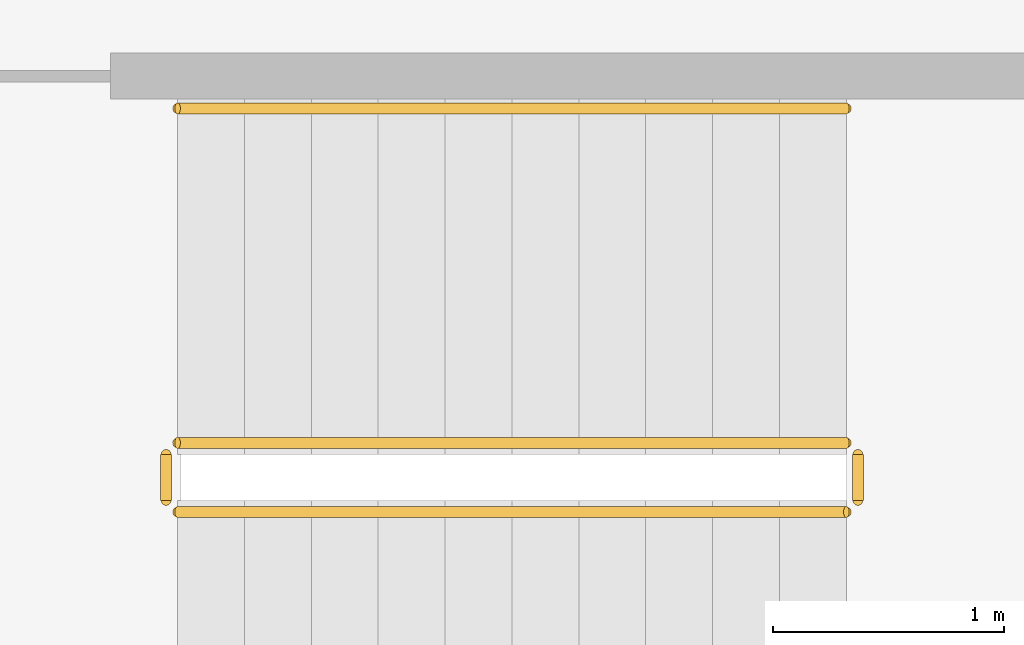
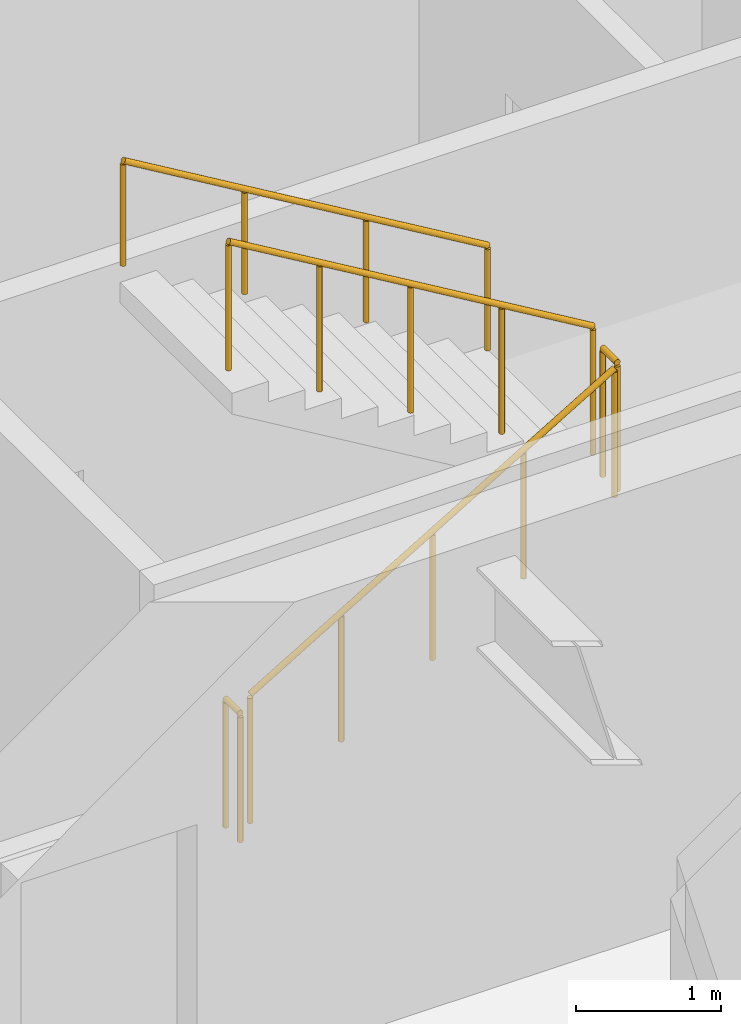
# One storey, part 22 of 23: 5 railings.
"""IFC4 building model written with IfcOpenShell, lengths in metres."""

from ifc_helpers import new_model, si_unit, direction, frame, origin, origin_2d, place, context, subcontext, project, spatial, circle, extrude, material, type_object, element, save


model = new_model("IFC4")

# Units and contexts
model_context = context("Model", 3, precision=1e-05, world=origin(), true_north=direction((0.0, 1.0)))
body_context = subcontext(model_context, "Body", "Model", "MODEL_VIEW")
ifc_project = project(units=[si_unit("LENGTHUNIT", "METRE"), si_unit("AREAUNIT", "SQUARE_METRE"), si_unit("VOLUMEUNIT", "CUBIC_METRE"), si_unit("PLANEANGLEUNIT", "RADIAN"), si_unit("MASSUNIT", "GRAM", prefix="KILO")], contexts=[model_context])

# Site, building, storey
site_placement = place(None, origin())
site = spatial("IfcSite", under=ifc_project, at=site_placement, CompositionType="ELEMENT")
building_placement = place(site_placement, origin())
building = spatial("IfcBuilding", under=site, at=building_placement, Name="Putna Gate Headquarters", CompositionType="ELEMENT")
storey_placement = place(building_placement, frame((0.0, 0.0, 225.199951171875)))
storey = spatial("IfcBuildingStorey", under=building, at=storey_placement, Name="L56", CompositionType="ELEMENT", Elevation=225.199951171875)

# Railings
ifc_material_1 = material(Name="Powder-coated steel stair guardrail", Category="steel")
railing_type_1 = type_object("IfcRailingType", Name="RAIL-STAIR-GUARD-1100", PredefinedType="GUARDRAIL", material=ifc_material_1)
railing_1_placement = place(storey_placement, frame((57.89990234375, 21.10009765625, 0.1728515625)))
element("IfcRailing", 1, at=railing_1_placement, inside=storey, type_object=railing_type_1, Name="L56 ST2 stair guard 1", PredefinedType="GUARDRAIL", context=body_context, shape_type="SweptSolid", body=[
    extrude(circle(Radius=0.02392578125, at=origin_2d()), frame((0.0, 0.0, 1.076171875), z_axis=(0.859160404282, 0.0, 0.51170636083), x_axis=(0.0, 1.0, 0.0)), (0.0, 0.0, 1.0), 3.37548828125),
    extrude(circle(Radius=0.02099609375, at=origin_2d()), origin(), (0.0, 0.0, 1.0), 1.052001953125),
    extrude(circle(Radius=0.02099609375, at=origin_2d()), frame((0.72509765625, 0.0, 0.431884765625)), (0.0, 0.0, 1.0), 1.052001953125),
    extrude(circle(Radius=0.02099609375, at=origin_2d()), frame((1.4501953125, 0.0, 0.86376953125)), (0.0, 0.0, 1.0), 1.052001953125),
    extrude(circle(Radius=0.02099609375, at=origin_2d()), frame((2.175048828125, 0.0, 1.29541015625)), (0.0, 0.0, 1.0), 1.052001953125),
    extrude(circle(Radius=0.02099609375, at=origin_2d()), frame((2.900146484375, 0.0, 1.727294921875)), (0.0, 0.0, 1.0), 1.052001953125),
])
railing_2_placement = place(storey_placement, frame((60.85009765625, 21.14990234375, 1.900146484375)))
element("IfcRailing", 2, at=railing_2_placement, inside=storey, type_object=railing_type_1, Name="L56 ST2 stair guard 2", PredefinedType="GUARDRAIL", context=body_context, shape_type="SweptSolid", body=[
    extrude(circle(Radius=0.02392578125, at=origin_2d()), frame((0.0, 0.0, 1.076171875), z_axis=(0.0, 1.0, 0.0), x_axis=(-1.0, 0.0, 0.0)), (0.0, 0.0, 1.0), 0.2001953125),
    extrude(circle(Radius=0.02099609375, at=origin_2d()), origin(), (0.0, 0.0, 1.0), 1.052001953125),
    extrude(circle(Radius=0.02099609375, at=origin_2d()), frame((0.0, 0.2001953125, 0.0)), (0.0, 0.0, 1.0), 1.052001953125),
])
railing_3_placement = place(storey_placement, frame((60.800048828125, 21.39990234375, 2.07275390625)))
element("IfcRailing", 3, at=railing_3_placement, inside=storey, type_object=railing_type_1, Name="L56 ST2 stair guard 3", PredefinedType="GUARDRAIL", context=body_context, shape_type="SweptSolid", body=[
    extrude(circle(Radius=0.02392578125, at=origin_2d()), frame((0.0, 0.0, 1.076171875), z_axis=(-0.859160404282, 0.0, 0.51170636083), x_axis=(0.0, -1.0, 0.0)), (0.0, 0.0, 1.0), 3.37548828125),
    extrude(circle(Radius=0.02099609375, at=origin_2d()), origin(), (0.0, 0.0, 1.0), 1.052001953125),
    extrude(circle(Radius=0.02099609375, at=origin_2d()), frame((-0.72509765625, 0.0, 0.431884765625)), (0.0, 0.0, 1.0), 1.052001953125),
    extrude(circle(Radius=0.02099609375, at=origin_2d()), frame((-1.4501953125, 0.0, 0.86376953125)), (0.0, 0.0, 1.0), 1.052001953125),
    extrude(circle(Radius=0.02099609375, at=origin_2d()), frame((-2.175048828125, 0.0, 1.29541015625)), (0.0, 0.0, 1.0), 1.052001953125),
    extrude(circle(Radius=0.02099609375, at=origin_2d()), frame((-2.900146484375, 0.0, 1.727294921875)), (0.0, 0.0, 1.0), 1.052001953125),
])
railing_4_placement = place(storey_placement, frame((57.85009765625, 21.14990234375, 0.0)))
element("IfcRailing", 4, at=railing_4_placement, inside=storey, type_object=railing_type_1, Name="L56 ST2 stair guard 4", PredefinedType="GUARDRAIL", context=body_context, shape_type="SweptSolid", body=[
    extrude(circle(Radius=0.02392578125, at=origin_2d()), frame((0.0, 0.0, 1.076171875), z_axis=(0.0, 1.0, 0.0), x_axis=(-1.0, 0.0, 0.0)), (0.0, 0.0, 1.0), 0.2001953125),
    extrude(circle(Radius=0.02099609375, at=origin_2d()), origin(), (0.0, 0.0, 1.0), 1.052001953125),
    extrude(circle(Radius=0.02099609375, at=origin_2d()), frame((0.0, 0.2001953125, 0.0)), (0.0, 0.0, 1.0), 1.052001953125),
])
ifc_material_2 = material(Name="Brushed stainless steel handrail", Category="steel")
railing_type_2 = type_object("IfcRailingType", Name="RAIL-STAIR-HAND-900", PredefinedType="HANDRAIL", material=ifc_material_2)
railing_5_placement = place(storey_placement, frame((60.800048828125, 22.85009765625, 2.07275390625)))
element("IfcRailing", 5, at=railing_5_placement, inside=storey, type_object=railing_type_2, Name="L56 ST2 stair handrail 2", PredefinedType="HANDRAIL", context=body_context, shape_type="SweptSolid", body=[
    extrude(circle(Radius=0.02392578125, at=origin_2d()), frame((0.0, 0.0, 0.8759765625), z_axis=(-0.859160404282, 0.0, 0.51170636083), x_axis=(0.0, -1.0, 0.0)), (0.0, 0.0, 1.0), 3.37548828125),
    extrude(circle(Radius=0.02099609375, at=origin_2d()), origin(), (0.0, 0.0, 1.0), 0.851806640625),
    extrude(circle(Radius=0.02099609375, at=origin_2d()), frame((-0.966796875, 0.0, 0.57568359375)), (0.0, 0.0, 1.0), 0.851806640625),
    extrude(circle(Radius=0.02099609375, at=origin_2d()), frame((-1.933349609375, 0.0, 1.151611328125)), (0.0, 0.0, 1.0), 0.851806640625),
    extrude(circle(Radius=0.02099609375, at=origin_2d()), frame((-2.900146484375, 0.0, 1.727294921875)), (0.0, 0.0, 1.0), 0.851806640625),
])

save(model, "model.ifc")
